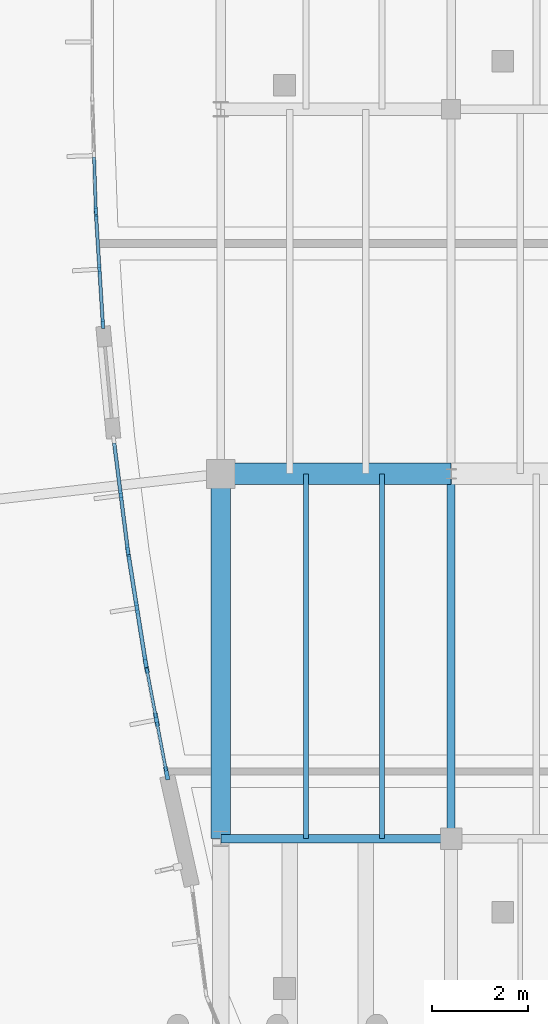
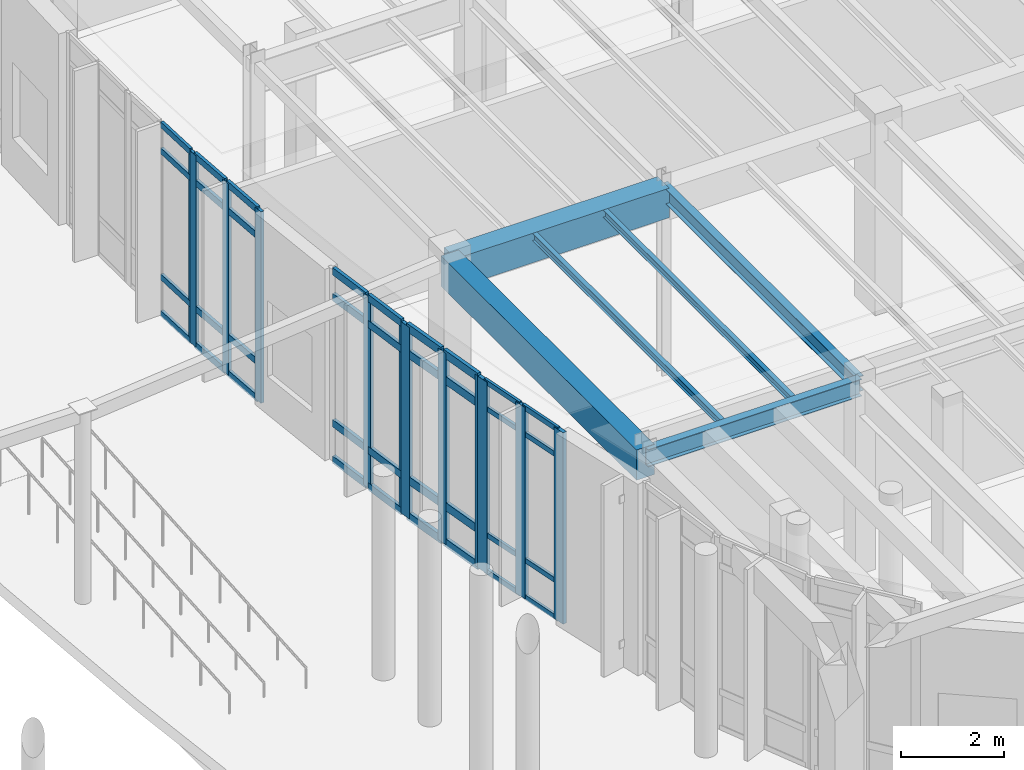
# One storey, part 51 of 120: 48 members, 6 beams, 5 elements without a shape of their own.
"""IFC4 building model written with IfcOpenShell, lengths in metres."""

from ifc_helpers import new_model, si_unit, direction, frame, origin, origin_2d, place, context, subcontext, project, spatial, rectangle, i_section, extrude, material, material_profile, profile_set, type_object, element, aggregate, save


model = new_model("IFC4")

# Units and contexts
model_context = context("Model", 3, precision=1e-05, world=origin(), true_north=direction((0.0, 1.0)))
body_context = subcontext(model_context, "Body", "Model", "MODEL_VIEW")
ifc_project = project(units=[si_unit("LENGTHUNIT", "METRE"), si_unit("AREAUNIT", "SQUARE_METRE"), si_unit("VOLUMEUNIT", "CUBIC_METRE"), si_unit("PLANEANGLEUNIT", "RADIAN"), si_unit("MASSUNIT", "GRAM", prefix="KILO")], contexts=[model_context])

# Site, building, storey
site_placement = place(None, origin())
site = spatial("IfcSite", under=ifc_project, at=site_placement, CompositionType="ELEMENT")
building_placement = place(site_placement, origin())
building = spatial("IfcBuilding", under=site, at=building_placement, Name="Corveleigh Park Community Centre", CompositionType="ELEMENT")
storey_placement = place(building_placement, origin())
storey = spatial("IfcBuildingStorey", under=building, at=storey_placement, Name="L00", CompositionType="ELEMENT", Elevation=0.0)

# Beams
ifc_material_1 = material(Name="Concrete C40/50", Category="concrete")
ifc_material_profile_1 = material_profile(ifc_material_1, rectangle(XDim=0.449951171875, YDim=0.699951171875, at=origin_2d()), Name="RC-450x700", Category="concrete")
ifc_profile_set_1 = profile_set([ifc_material_profile_1], Name="Concrete C40/50")
beam_type_1 = type_object("IfcBeamType", Name="BM-RC-450x700", PredefinedType="BEAM", material=ifc_profile_set_1)
beam_1_placement = place(storey_placement, frame((129.804931640625, 73.800048828125, 4.177001953125), z_axis=(1.0, 0.0, 0.0), x_axis=(0.0, 1.0, 0.0)))
element("IfcBeam", 1, at=beam_1_placement, inside=storey, type_object=beam_type_1, Name="V4 Girder X", PredefinedType="BEAM", context=body_context, shape_type="SweptSolid", body=[
    extrude(rectangle(XDim=0.449951171875, YDim=0.699951171875, at=origin_2d()), origin(), (0.0, 0.0, 1.0), 4.7900390625),
])
ifc_material_2 = material(Name="Steel S355", Category="steel")
ifc_material_profile_2 = material_profile(ifc_material_2, i_section(OverallWidth=0.101318359375, OverallDepth=0.177734375, WebThickness=0.0048828125, FlangeThickness=0.0078125, at=origin_2d()), Name="UKB 178x102x19", Category="steel")
ifc_profile_set_2 = profile_set([ifc_material_profile_2], Name="Steel S355")
beam_type_2 = type_object("IfcBeamType", Name="BM-STL-UKB178x19", PredefinedType="JOIST", material=ifc_profile_set_2)
for number, where, z_axis, x_axis, name in (
    (2, (131.575927734375, 66.205078125, 4.43798828125), (0.0, 1.0, 0.0), (-1.0, 0.0, 0.0), "Secondary floor joist"),
    (3, (133.159912109375, 66.205078125, 4.43798828125), (0.0, 1.0, 0.0), (-1.0, 0.0, 0.0), "Secondary floor joist"),
):
    element("IfcBeam", number, at=place(storey_placement, frame(where, z_axis=z_axis, x_axis=x_axis)), inside=storey, type_object=beam_type_2, Name=name, PredefinedType="JOIST", context=body_context, shape_type="SweptSolid", body=[
        extrude(i_section(OverallWidth=0.101318359375, OverallDepth=0.177734375, WebThickness=0.0048828125, FlangeThickness=0.0078125, at=origin_2d()), origin(), (0.0, 0.0, 1.0), 7.58984375),
    ])
ifc_material_profile_3 = material_profile(ifc_material_2, i_section(OverallWidth=0.172119140625, OverallDepth=0.35791015625, WebThickness=0.008056640625, FlangeThickness=0.012939453125, at=origin_2d()), Name="UKB 356x171x57", Category="steel")
ifc_profile_set_3 = profile_set([ifc_material_profile_3], Name="Steel S355")
beam_type_3 = type_object("IfcBeamType", Name="BM-STL-UKB356x57", PredefinedType="BEAM", material=ifc_profile_set_3)
beam_2_placement = place(storey_placement, frame((134.60009765625, 66.205078125, 4.347900390625), z_axis=(0.0, 1.0, 0.0), x_axis=(-1.0, 0.0, 0.0)))
element("IfcBeam", 4, at=beam_2_placement, inside=storey, type_object=beam_type_3, Name="V4 Girder Y", PredefinedType="BEAM", context=body_context, shape_type="SweptSolid", body=[
    extrude(i_section(OverallWidth=0.172119140625, OverallDepth=0.35791015625, WebThickness=0.008056640625, FlangeThickness=0.012939453125, at=origin_2d()), origin(), (0.0, 0.0, 1.0), 7.58984375),
])
ifc_material_profile_4 = material_profile(ifc_material_2, i_section(OverallWidth=0.177978515625, OverallDepth=0.406494140625, WebThickness=0.0078125, FlangeThickness=0.0126953125, at=origin_2d()), Name="UKB 406x178x60", Category="steel")
ifc_profile_set_4 = profile_set([ifc_material_profile_4], Name="Steel S355")
beam_type_4 = type_object("IfcBeamType", Name="BM-STL-UKB406x60", PredefinedType="BEAM", material=ifc_profile_set_4)
beam_3_placement = place(storey_placement, frame((129.804931640625, 66.199951171875, 4.32373046875), z_axis=(1.0, 0.0, 0.0), x_axis=(0.0, 1.0, 0.0)))
element("IfcBeam", 5, at=beam_3_placement, inside=storey, type_object=beam_type_4, Name="V4 Girder X", PredefinedType="BEAM", context=body_context, shape_type="SweptSolid", body=[
    extrude(i_section(OverallWidth=0.177978515625, OverallDepth=0.406494140625, WebThickness=0.0078125, FlangeThickness=0.0126953125, at=origin_2d()), origin(), (0.0, 0.0, 1.0), 4.7900390625),
])

# Curtain wall, member
ifc_material_3 = material(Name="Anodised aluminium 6063-T6", Category="aluminium")
curtain_wall_type = type_object("IfcCurtainWallType", Name="CW-SYS-V4-L00", PredefinedType="NOTDEFINED", material=ifc_material_3)
curtain_wall_1_placement = place(storey_placement, origin())
curtain_wall_1 = element("IfcCurtainWall", 6, at=curtain_wall_1_placement, inside=storey, type_object=curtain_wall_type, Name="V4 L00 Curtain Wall 152", PredefinedType="NOTDEFINED")
ifc_material_profile_5 = material_profile(ifc_material_3, rectangle(XDim=0.06494140625, YDim=0.179931640625, at=origin_2d()), Name="ALU-M65x180", Category="aluminium")
ifc_profile_set_5 = profile_set([ifc_material_profile_5], Name="Anodised aluminium 6063-T6")
member_type_1 = type_object("IfcMemberType", Name="CWM-65x180", PredefinedType="MULLION", material=ifc_profile_set_5)
member_1_placement = place(storey_placement, frame((127.196044921875, 79.28955078125, 0.0), z_axis=(0.0, 0.0, 1.0), x_axis=(-0.999491108502, -0.031898652394, 0.0)))
member_1 = element("IfcMember", 7, at=member_1_placement, type_object=member_type_1, Name="CW07 mullion 1", PredefinedType="MULLION", context=body_context, shape_type="SweptSolid", body=[
    extrude(rectangle(XDim=0.06494140625, YDim=0.179931640625, at=origin_2d()), origin(), (0.0, 0.0, 1.0), 4.537109375),
])

# Curtain wall, members
curtain_wall_2_placement = place(storey_placement, origin())
curtain_wall_2 = element("IfcCurtainWall", 8, at=curtain_wall_2_placement, inside=storey, type_object=curtain_wall_type, Name="V4 L00 Curtain Wall 153", PredefinedType="NOTDEFINED")
ifc_material_profile_6 = material_profile(ifc_material_3, rectangle(XDim=0.070068359375, YDim=0.199951171875, at=origin_2d()), Name="ALU-M70x200", Category="aluminium")
ifc_profile_set_6 = profile_set([ifc_material_profile_6], Name="Anodised aluminium 6063-T6")
member_type_2 = type_object("IfcMemberType", Name="CWM-70x200", PredefinedType="MULLION", material=ifc_profile_set_6)
member_2_placement = place(storey_placement, frame((127.3427734375, 76.928955078125, 0.0), z_axis=(0.0, 0.0, 1.0), x_axis=(-0.998040968926, -0.062563762233, 0.0)))
member_2 = element("IfcMember", 9, at=member_2_placement, type_object=member_type_2, Name="CW07 mullion 1", PredefinedType="MULLION", context=body_context, shape_type="SweptSolid", body=[
    extrude(rectangle(XDim=0.070068359375, YDim=0.199951171875, at=origin_2d()), origin(), (0.0, 0.0, 1.0), 4.537109375),
])
member_3_placement = place(storey_placement, frame((127.271484375, 78.06640625, 0.0), z_axis=(0.0, 0.0, 1.0), x_axis=(-0.998040968926, -0.062563762233, 0.0)))
member_3 = element("IfcMember", 10, at=member_3_placement, type_object=member_type_2, Name="CW07 mullion 2", PredefinedType="MULLION", context=body_context, shape_type="SweptSolid", body=[
    extrude(rectangle(XDim=0.070068359375, YDim=0.199951171875, at=origin_2d()), origin(), (0.0, 0.0, 1.0), 4.537109375),
])
member_4_placement = place(storey_placement, frame((127.2001953125, 79.2041015625, 0.0), z_axis=(0.0, 0.0, 1.0), x_axis=(-0.998040968926, -0.062563762233, 0.0)))
member_4 = element("IfcMember", 11, at=member_4_placement, type_object=member_type_2, Name="CW07 mullion 3", PredefinedType="MULLION", context=body_context, shape_type="SweptSolid", body=[
    extrude(rectangle(XDim=0.070068359375, YDim=0.199951171875, at=origin_2d()), origin(), (0.0, 0.0, 1.0), 4.537109375),
])

curtain_wall_3_placement = place(storey_placement, origin())
curtain_wall_3 = element("IfcCurtainWall", 12, at=curtain_wall_3_placement, inside=storey, type_object=curtain_wall_type, Name="V4 L00 Curtain Wall 154", PredefinedType="NOTDEFINED")
ifc_material_profile_7 = material_profile(ifc_material_3, rectangle(XDim=0.074951171875, YDim=0.219970703125, at=origin_2d()), Name="ALU-M75x220", Category="aluminium")
ifc_profile_set_7 = profile_set([ifc_material_profile_7], Name="Anodised aluminium 6063-T6")
member_type_3 = type_object("IfcMemberType", Name="CWM-75x220", PredefinedType="MULLION", material=ifc_profile_set_7)
member_5_placement = place(storey_placement, frame((127.861328125, 72.22314453125, 0.0), z_axis=(0.0, 0.0, 1.0), x_axis=(-0.992040478554, -0.125919374639, 0.0)))
member_5 = element("IfcMember", 13, at=member_5_placement, type_object=member_type_3, Name="CW07 mullion 1", PredefinedType="MULLION", context=body_context, shape_type="SweptSolid", body=[
    extrude(rectangle(XDim=0.074951171875, YDim=0.219970703125, at=origin_2d()), origin(), (0.0, 0.0, 1.0), 4.537109375),
])
member_6_placement = place(storey_placement, frame((127.718017578125, 73.35205078125, 0.0), z_axis=(0.0, 0.0, 1.0), x_axis=(-0.992040478554, -0.125919374639, 0.0)))
member_6 = element("IfcMember", 14, at=member_6_placement, type_object=member_type_3, Name="CW07 mullion 2", PredefinedType="MULLION", context=body_context, shape_type="SweptSolid", body=[
    extrude(rectangle(XDim=0.074951171875, YDim=0.219970703125, at=origin_2d()), origin(), (0.0, 0.0, 1.0), 4.537109375),
])

curtain_wall_4_placement = place(storey_placement, origin())
curtain_wall_4 = element("IfcCurtainWall", 15, at=curtain_wall_4_placement, inside=storey, type_object=curtain_wall_type, Name="V4 L00 Curtain Wall 155", PredefinedType="NOTDEFINED")
ifc_material_profile_8 = material_profile(ifc_material_3, rectangle(XDim=0.080078125, YDim=0.25, at=origin_2d()), Name="ALU-M80x250", Category="aluminium")
ifc_profile_set_8 = profile_set([ifc_material_profile_8], Name="Anodised aluminium 6063-T6")
member_type_4 = type_object("IfcMemberType", Name="CWM-80x250", PredefinedType="MULLION", material=ifc_profile_set_8)
member_7_placement = place(storey_placement, frame((128.230712890625, 69.886474609375, 0.0), z_axis=(0.0, 0.0, 1.0), x_axis=(-0.987596806616, -0.157011297563, 0.0)))
member_7 = element("IfcMember", 16, at=member_7_placement, type_object=member_type_4, Name="CW07 mullion 1", PredefinedType="MULLION", context=body_context, shape_type="SweptSolid", body=[
    extrude(rectangle(XDim=0.080078125, YDim=0.25, at=origin_2d()), origin(), (0.0, 0.0, 1.0), 4.537109375),
])
member_8_placement = place(storey_placement, frame((128.052490234375, 71.007568359375, 0.0), z_axis=(0.0, 0.0, 1.0), x_axis=(-0.987596806616, -0.157011297563, 0.0)))
member_8 = element("IfcMember", 17, at=member_8_placement, type_object=member_type_4, Name="CW07 mullion 2", PredefinedType="MULLION", context=body_context, shape_type="SweptSolid", body=[
    extrude(rectangle(XDim=0.080078125, YDim=0.25, at=origin_2d()), origin(), (0.0, 0.0, 1.0), 4.537109375),
])
member_9_placement = place(storey_placement, frame((127.874267578125, 72.12841796875, 0.0), z_axis=(0.0, 0.0, 1.0), x_axis=(-0.987596806616, -0.157011297563, 0.0)))
member_9 = element("IfcMember", 18, at=member_9_placement, type_object=member_type_4, Name="CW07 mullion 3", PredefinedType="MULLION", context=body_context, shape_type="SweptSolid", body=[
    extrude(rectangle(XDim=0.080078125, YDim=0.25, at=origin_2d()), origin(), (0.0, 0.0, 1.0), 4.537109375),
])

curtain_wall_5_placement = place(storey_placement, origin())
curtain_wall_5 = element("IfcCurtainWall", 19, at=curtain_wall_5_placement, inside=storey, type_object=curtain_wall_type, Name="V4 L00 Curtain Wall 156", PredefinedType="NOTDEFINED")
ifc_material_profile_9 = material_profile(ifc_material_3, rectangle(XDim=0.0849609375, YDim=0.27490234375, at=origin_2d()), Name="ALU-M85x275", Category="aluminium")
ifc_profile_set_9 = profile_set([ifc_material_profile_9], Name="Anodised aluminium 6063-T6")
member_type_5 = type_object("IfcMemberType", Name="CWM-85x275", PredefinedType="MULLION", material=ifc_profile_set_9)
member_10_placement = place(storey_placement, frame((128.672119140625, 67.561767578125, 0.0), z_axis=(0.0, 0.0, 1.0), x_axis=(-0.982323668519, -0.187190304951, 0.0)))
member_10 = element("IfcMember", 20, at=member_10_placement, type_object=member_type_5, Name="CW07 mullion 1", PredefinedType="MULLION", context=body_context, shape_type="SweptSolid", body=[
    extrude(rectangle(XDim=0.0849609375, YDim=0.27490234375, at=origin_2d()), origin(), (0.0, 0.0, 1.0), 4.537109375),
])
member_11_placement = place(storey_placement, frame((128.4599609375, 68.674560546875, 0.0), z_axis=(0.0, 0.0, 1.0), x_axis=(-0.982323668519, -0.187190304951, 0.0)))
member_11 = element("IfcMember", 21, at=member_11_placement, type_object=member_type_5, Name="CW07 mullion 2", PredefinedType="MULLION", context=body_context, shape_type="SweptSolid", body=[
    extrude(rectangle(XDim=0.0849609375, YDim=0.27490234375, at=origin_2d()), origin(), (0.0, 0.0, 1.0), 4.537109375),
])
member_12_placement = place(storey_placement, frame((128.248046875, 69.787353515625, 0.0), z_axis=(0.0, 0.0, 1.0), x_axis=(-0.982323668519, -0.187190304951, 0.0)))
member_12 = element("IfcMember", 22, at=member_12_placement, type_object=member_type_5, Name="CW07 mullion 3", PredefinedType="MULLION", context=body_context, shape_type="SweptSolid", body=[
    extrude(rectangle(XDim=0.0849609375, YDim=0.27490234375, at=origin_2d()), origin(), (0.0, 0.0, 1.0), 4.537109375),
])
ifc_material_profile_10 = material_profile(ifc_material_3, rectangle(XDim=0.06005859375, YDim=0.1201171875, at=origin_2d()), Name="ALU-T60x120", Category="aluminium")
ifc_profile_set_10 = profile_set([ifc_material_profile_10], Name="Anodised aluminium 6063-T6")
member_type_6 = type_object("IfcMemberType", Name="CWT-60x120", PredefinedType="USERDEFINED", material=ifc_profile_set_10)
member_13_placement = place(storey_placement, frame((128.6640625, 67.603515625, 0.030029296875), z_axis=(-0.187101400958, 0.982340605778, 0.0), x_axis=(-0.982340605778, -0.187101400958, 0.0)))
member_13 = element("IfcMember", 23, at=member_13_placement, type_object=member_type_6, Name="CW07 transom 1.1", ObjectType="TRANSOM", PredefinedType="USERDEFINED", context=body_context, shape_type="SweptSolid", body=[
    extrude(rectangle(XDim=0.06005859375, YDim=0.1201171875, at=origin_2d()), origin(), (0.0, 0.0, 1.0), 1.0478515625),
])
member_14_placement = place(storey_placement, frame((128.6640625, 67.603515625, 0.89990234375), z_axis=(-0.187101400958, 0.982340605778, 0.0), x_axis=(-0.982340605778, -0.187101400958, 0.0)))
member_14 = element("IfcMember", 24, at=member_14_placement, type_object=member_type_6, Name="CW07 transom 1.2", ObjectType="TRANSOM", PredefinedType="USERDEFINED", context=body_context, shape_type="SweptSolid", body=[
    extrude(rectangle(XDim=0.06005859375, YDim=0.1201171875, at=origin_2d()), origin(), (0.0, 0.0, 1.0), 1.0478515625),
])
member_15_placement = place(storey_placement, frame((128.6640625, 67.603515625, 3.886962890625), z_axis=(-0.187101400958, 0.982340605778, 0.0), x_axis=(-0.982340605778, -0.187101400958, 0.0)))
member_15 = element("IfcMember", 25, at=member_15_placement, type_object=member_type_6, Name="CW07 transom 1.3", ObjectType="TRANSOM", PredefinedType="USERDEFINED", context=body_context, shape_type="SweptSolid", body=[
    extrude(rectangle(XDim=0.06005859375, YDim=0.1201171875, at=origin_2d()), origin(), (0.0, 0.0, 1.0), 1.0478515625),
])
member_16_placement = place(storey_placement, frame((128.6640625, 67.603515625, 4.507080078125), z_axis=(-0.187101400958, 0.982340605778, 0.0), x_axis=(-0.982340605778, -0.187101400958, 0.0)))
member_16 = element("IfcMember", 26, at=member_16_placement, type_object=member_type_6, Name="CW07 transom 1.4", ObjectType="TRANSOM", PredefinedType="USERDEFINED", context=body_context, shape_type="SweptSolid", body=[
    extrude(rectangle(XDim=0.06005859375, YDim=0.1201171875, at=origin_2d()), origin(), (0.0, 0.0, 1.0), 1.0478515625),
])
member_17_placement = place(storey_placement, frame((128.4521484375, 68.71630859375, 0.030029296875), z_axis=(-0.187326232519, 0.982297756594, 0.0), x_axis=(-0.982297756594, -0.187326232519, 0.0)))
member_17 = element("IfcMember", 27, at=member_17_placement, type_object=member_type_6, Name="CW07 transom 2.1", ObjectType="TRANSOM", PredefinedType="USERDEFINED", context=body_context, shape_type="SweptSolid", body=[
    extrude(rectangle(XDim=0.06005859375, YDim=0.1201171875, at=origin_2d()), origin(), (0.0, 0.0, 1.0), 1.0478515625),
])
member_18_placement = place(storey_placement, frame((128.4521484375, 68.71630859375, 0.89990234375), z_axis=(-0.187326232519, 0.982297756594, 0.0), x_axis=(-0.982297756594, -0.187326232519, 0.0)))
member_18 = element("IfcMember", 28, at=member_18_placement, type_object=member_type_6, Name="CW07 transom 2.2", ObjectType="TRANSOM", PredefinedType="USERDEFINED", context=body_context, shape_type="SweptSolid", body=[
    extrude(rectangle(XDim=0.06005859375, YDim=0.1201171875, at=origin_2d()), origin(), (0.0, 0.0, 1.0), 1.0478515625),
])
member_19_placement = place(storey_placement, frame((128.4521484375, 68.71630859375, 3.886962890625), z_axis=(-0.187326232519, 0.982297756594, 0.0), x_axis=(-0.982297756594, -0.187326232519, 0.0)))
member_19 = element("IfcMember", 29, at=member_19_placement, type_object=member_type_6, Name="CW07 transom 2.3", ObjectType="TRANSOM", PredefinedType="USERDEFINED", context=body_context, shape_type="SweptSolid", body=[
    extrude(rectangle(XDim=0.06005859375, YDim=0.1201171875, at=origin_2d()), origin(), (0.0, 0.0, 1.0), 1.0478515625),
])
member_20_placement = place(storey_placement, frame((128.4521484375, 68.71630859375, 4.507080078125), z_axis=(-0.187326232519, 0.982297756594, 0.0), x_axis=(-0.982297756594, -0.187326232519, 0.0)))
member_20 = element("IfcMember", 30, at=member_20_placement, type_object=member_type_6, Name="CW07 transom 2.4", ObjectType="TRANSOM", PredefinedType="USERDEFINED", context=body_context, shape_type="SweptSolid", body=[
    extrude(rectangle(XDim=0.06005859375, YDim=0.1201171875, at=origin_2d()), origin(), (0.0, 0.0, 1.0), 1.0478515625),
])
aggregate(curtain_wall_5, [member_10, member_11, member_12, member_13, member_14, member_15, member_16, member_17, member_18, member_19, member_20])

# Member
ifc_material_profile_11 = material_profile(ifc_material_3, rectangle(XDim=0.06494140625, YDim=0.139892578125, at=origin_2d()), Name="ALU-T65x140", Category="aluminium")
ifc_profile_set_11 = profile_set([ifc_material_profile_11], Name="Anodised aluminium 6063-T6")
member_type_7 = type_object("IfcMemberType", Name="CWT-65x140", PredefinedType="USERDEFINED", material=ifc_profile_set_11)
member_21_placement = place(storey_placement, frame((127.19482421875, 79.322021484375, 0.032470703125), z_axis=(-0.031708498137, 0.999497159148, 0.0), x_axis=(-0.999497159148, -0.031708498137, 0.0)))
member_21 = element("IfcMember", 31, at=member_21_placement, type_object=member_type_7, Name="CW07 transom 1.1", ObjectType="TRANSOM", PredefinedType="USERDEFINED", context=body_context, shape_type="SweptSolid", body=[
    extrude(rectangle(XDim=0.06494140625, YDim=0.139892578125, at=origin_2d()), origin(), (0.0, 0.0, 1.0), 1.077880859375),
])

member_22_placement = place(storey_placement, frame((127.19482421875, 79.322021484375, 0.89990234375), z_axis=(-0.031708498137, 0.999497159148, 0.0), x_axis=(-0.999497159148, -0.031708498137, 0.0)))
member_22 = element("IfcMember", 32, at=member_22_placement, type_object=member_type_7, Name="CW07 transom 1.2", ObjectType="TRANSOM", PredefinedType="USERDEFINED", context=body_context, shape_type="SweptSolid", body=[
    extrude(rectangle(XDim=0.06494140625, YDim=0.139892578125, at=origin_2d()), origin(), (0.0, 0.0, 1.0), 1.077880859375),
])

member_23_placement = place(storey_placement, frame((127.19482421875, 79.322021484375, 3.886962890625), z_axis=(-0.031708498137, 0.999497159148, 0.0), x_axis=(-0.999497159148, -0.031708498137, 0.0)))
member_23 = element("IfcMember", 33, at=member_23_placement, type_object=member_type_7, Name="CW07 transom 1.3", ObjectType="TRANSOM", PredefinedType="USERDEFINED", context=body_context, shape_type="SweptSolid", body=[
    extrude(rectangle(XDim=0.06494140625, YDim=0.139892578125, at=origin_2d()), origin(), (0.0, 0.0, 1.0), 1.077880859375),
])

member_24_placement = place(storey_placement, frame((127.19482421875, 79.322021484375, 4.50439453125), z_axis=(-0.031708498137, 0.999497159148, 0.0), x_axis=(-0.999497159148, -0.031708498137, 0.0)))
member_24 = element("IfcMember", 34, at=member_24_placement, type_object=member_type_7, Name="CW07 transom 1.4", ObjectType="TRANSOM", PredefinedType="USERDEFINED", context=body_context, shape_type="SweptSolid", body=[
    extrude(rectangle(XDim=0.06494140625, YDim=0.139892578125, at=origin_2d()), origin(), (0.0, 0.0, 1.0), 1.077880859375),
])

aggregate(curtain_wall_1, [member_1, member_21, member_22, member_23, member_24])

ifc_material_profile_12 = material_profile(ifc_material_3, rectangle(XDim=0.070068359375, YDim=0.155029296875, at=origin_2d()), Name="ALU-T70x155", Category="aluminium")
ifc_profile_set_12 = profile_set([ifc_material_profile_12], Name="Anodised aluminium 6063-T6")
member_type_8 = type_object("IfcMemberType", Name="CWT-70x155", PredefinedType="USERDEFINED", material=ifc_profile_set_12)
member_25_placement = place(storey_placement, frame((127.340576171875, 76.9638671875, 0.034912109375), z_axis=(-0.062534581883, 0.998042797714, 0.0), x_axis=(-0.998042797714, -0.062534581883, 0.0)))
member_25 = element("IfcMember", 35, at=member_25_placement, type_object=member_type_8, Name="CW07 transom 1.1", ObjectType="TRANSOM", PredefinedType="USERDEFINED", context=body_context, shape_type="SweptSolid", body=[
    extrude(rectangle(XDim=0.070068359375, YDim=0.155029296875, at=origin_2d()), origin(), (0.0, 0.0, 1.0), 1.06982421875),
])

member_26_placement = place(storey_placement, frame((127.340576171875, 76.9638671875, 0.89990234375), z_axis=(-0.062534581883, 0.998042797714, 0.0), x_axis=(-0.998042797714, -0.062534581883, 0.0)))
member_26 = element("IfcMember", 36, at=member_26_placement, type_object=member_type_8, Name="CW07 transom 1.2", ObjectType="TRANSOM", PredefinedType="USERDEFINED", context=body_context, shape_type="SweptSolid", body=[
    extrude(rectangle(XDim=0.070068359375, YDim=0.155029296875, at=origin_2d()), origin(), (0.0, 0.0, 1.0), 1.06982421875),
])

member_27_placement = place(storey_placement, frame((127.340576171875, 76.9638671875, 3.886962890625), z_axis=(-0.062534581883, 0.998042797714, 0.0), x_axis=(-0.998042797714, -0.062534581883, 0.0)))
member_27 = element("IfcMember", 37, at=member_27_placement, type_object=member_type_8, Name="CW07 transom 1.3", ObjectType="TRANSOM", PredefinedType="USERDEFINED", context=body_context, shape_type="SweptSolid", body=[
    extrude(rectangle(XDim=0.070068359375, YDim=0.155029296875, at=origin_2d()), origin(), (0.0, 0.0, 1.0), 1.06982421875),
])

member_28_placement = place(storey_placement, frame((127.340576171875, 76.9638671875, 4.501953125), z_axis=(-0.062534581883, 0.998042797714, 0.0), x_axis=(-0.998042797714, -0.062534581883, 0.0)))
member_28 = element("IfcMember", 38, at=member_28_placement, type_object=member_type_8, Name="CW07 transom 1.4", ObjectType="TRANSOM", PredefinedType="USERDEFINED", context=body_context, shape_type="SweptSolid", body=[
    extrude(rectangle(XDim=0.070068359375, YDim=0.155029296875, at=origin_2d()), origin(), (0.0, 0.0, 1.0), 1.06982421875),
])

member_29_placement = place(storey_placement, frame((127.269287109375, 78.101318359375, 0.034912109375), z_axis=(-0.062520340886, 0.998043689913, 0.0), x_axis=(-0.998043689913, -0.062520340886, 0.0)))
member_29 = element("IfcMember", 39, at=member_29_placement, type_object=member_type_8, Name="CW07 transom 2.1", ObjectType="TRANSOM", PredefinedType="USERDEFINED", context=body_context, shape_type="SweptSolid", body=[
    extrude(rectangle(XDim=0.070068359375, YDim=0.155029296875, at=origin_2d()), origin(), (0.0, 0.0, 1.0), 1.070068359375),
])

member_30_placement = place(storey_placement, frame((127.269287109375, 78.101318359375, 0.89990234375), z_axis=(-0.062520340886, 0.998043689913, 0.0), x_axis=(-0.998043689913, -0.062520340886, 0.0)))
member_30 = element("IfcMember", 40, at=member_30_placement, type_object=member_type_8, Name="CW07 transom 2.2", ObjectType="TRANSOM", PredefinedType="USERDEFINED", context=body_context, shape_type="SweptSolid", body=[
    extrude(rectangle(XDim=0.070068359375, YDim=0.155029296875, at=origin_2d()), origin(), (0.0, 0.0, 1.0), 1.070068359375),
])

member_31_placement = place(storey_placement, frame((127.269287109375, 78.101318359375, 3.886962890625), z_axis=(-0.062520340886, 0.998043689913, 0.0), x_axis=(-0.998043689913, -0.062520340886, 0.0)))
member_31 = element("IfcMember", 41, at=member_31_placement, type_object=member_type_8, Name="CW07 transom 2.3", ObjectType="TRANSOM", PredefinedType="USERDEFINED", context=body_context, shape_type="SweptSolid", body=[
    extrude(rectangle(XDim=0.070068359375, YDim=0.155029296875, at=origin_2d()), origin(), (0.0, 0.0, 1.0), 1.070068359375),
])

member_32_placement = place(storey_placement, frame((127.269287109375, 78.101318359375, 4.501953125), z_axis=(-0.062520340886, 0.998043689913, 0.0), x_axis=(-0.998043689913, -0.062520340886, 0.0)))
member_32 = element("IfcMember", 42, at=member_32_placement, type_object=member_type_8, Name="CW07 transom 2.4", ObjectType="TRANSOM", PredefinedType="USERDEFINED", context=body_context, shape_type="SweptSolid", body=[
    extrude(rectangle(XDim=0.070068359375, YDim=0.155029296875, at=origin_2d()), origin(), (0.0, 0.0, 1.0), 1.070068359375),
])

aggregate(curtain_wall_2, [member_2, member_3, member_4, member_25, member_26, member_27, member_28, member_29, member_30, member_31, member_32])

ifc_material_profile_13 = material_profile(ifc_material_3, rectangle(XDim=0.074951171875, YDim=0.175048828125, at=origin_2d()), Name="ALU-T75x175", Category="aluminium")
ifc_profile_set_13 = profile_set([ifc_material_profile_13], Name="Anodised aluminium 6063-T6")
member_type_9 = type_object("IfcMemberType", Name="CWT-75x175", PredefinedType="USERDEFINED", material=ifc_profile_set_13)
member_33_placement = place(storey_placement, frame((127.8564453125, 72.260498046875, 0.03759765625), z_axis=(-0.125900758919, 0.992042841264, 0.0), x_axis=(-0.992042841264, -0.125900758919, 0.0)))
member_33 = element("IfcMember", 43, at=member_33_placement, type_object=member_type_9, Name="CW07 transom 1.1", ObjectType="TRANSOM", PredefinedType="USERDEFINED", context=body_context, shape_type="SweptSolid", body=[
    extrude(rectangle(XDim=0.074951171875, YDim=0.175048828125, at=origin_2d()), origin(), (0.0, 0.0, 1.0), 1.062744140625),
])

member_34_placement = place(storey_placement, frame((127.8564453125, 72.260498046875, 0.89990234375), z_axis=(-0.125900758919, 0.992042841264, 0.0), x_axis=(-0.992042841264, -0.125900758919, 0.0)))
member_34 = element("IfcMember", 44, at=member_34_placement, type_object=member_type_9, Name="CW07 transom 1.2", ObjectType="TRANSOM", PredefinedType="USERDEFINED", context=body_context, shape_type="SweptSolid", body=[
    extrude(rectangle(XDim=0.074951171875, YDim=0.175048828125, at=origin_2d()), origin(), (0.0, 0.0, 1.0), 1.062744140625),
])

member_35_placement = place(storey_placement, frame((127.8564453125, 72.260498046875, 3.886962890625), z_axis=(-0.125900758919, 0.992042841264, 0.0), x_axis=(-0.992042841264, -0.125900758919, 0.0)))
member_35 = element("IfcMember", 45, at=member_35_placement, type_object=member_type_9, Name="CW07 transom 1.3", ObjectType="TRANSOM", PredefinedType="USERDEFINED", context=body_context, shape_type="SweptSolid", body=[
    extrude(rectangle(XDim=0.074951171875, YDim=0.175048828125, at=origin_2d()), origin(), (0.0, 0.0, 1.0), 1.062744140625),
])

member_36_placement = place(storey_placement, frame((127.8564453125, 72.260498046875, 4.49951171875), z_axis=(-0.125900758919, 0.992042841264, 0.0), x_axis=(-0.992042841264, -0.125900758919, 0.0)))
member_36 = element("IfcMember", 46, at=member_36_placement, type_object=member_type_9, Name="CW07 transom 1.4", ObjectType="TRANSOM", PredefinedType="USERDEFINED", context=body_context, shape_type="SweptSolid", body=[
    extrude(rectangle(XDim=0.074951171875, YDim=0.175048828125, at=origin_2d()), origin(), (0.0, 0.0, 1.0), 1.062744140625),
])

member_37_placement = place(storey_placement, frame((127.71337890625, 73.38916015625, 0.03759765625), z_axis=(-0.126098114919, 0.992017774747, 0.0), x_axis=(-0.992017774747, -0.126098114919, 0.0)))
member_37 = element("IfcMember", 47, at=member_37_placement, type_object=member_type_9, Name="CW07 transom 2.1", ObjectType="TRANSOM", PredefinedType="USERDEFINED", context=body_context, shape_type="SweptSolid", body=[
    extrude(rectangle(XDim=0.074951171875, YDim=0.175048828125, at=origin_2d()), origin(), (0.0, 0.0, 1.0), 1.06298828125),
])

member_38_placement = place(storey_placement, frame((127.71337890625, 73.38916015625, 0.89990234375), z_axis=(-0.126098114919, 0.992017774747, 0.0), x_axis=(-0.992017774747, -0.126098114919, 0.0)))
member_38 = element("IfcMember", 48, at=member_38_placement, type_object=member_type_9, Name="CW07 transom 2.2", ObjectType="TRANSOM", PredefinedType="USERDEFINED", context=body_context, shape_type="SweptSolid", body=[
    extrude(rectangle(XDim=0.074951171875, YDim=0.175048828125, at=origin_2d()), origin(), (0.0, 0.0, 1.0), 1.06298828125),
])

member_39_placement = place(storey_placement, frame((127.71337890625, 73.38916015625, 3.886962890625), z_axis=(-0.126098114919, 0.992017774747, 0.0), x_axis=(-0.992017774747, -0.126098114919, 0.0)))
member_39 = element("IfcMember", 49, at=member_39_placement, type_object=member_type_9, Name="CW07 transom 2.3", ObjectType="TRANSOM", PredefinedType="USERDEFINED", context=body_context, shape_type="SweptSolid", body=[
    extrude(rectangle(XDim=0.074951171875, YDim=0.175048828125, at=origin_2d()), origin(), (0.0, 0.0, 1.0), 1.06298828125),
])

member_40_placement = place(storey_placement, frame((127.71337890625, 73.38916015625, 4.49951171875), z_axis=(-0.126098114919, 0.992017774747, 0.0), x_axis=(-0.992017774747, -0.126098114919, 0.0)))
member_40 = element("IfcMember", 50, at=member_40_placement, type_object=member_type_9, Name="CW07 transom 2.4", ObjectType="TRANSOM", PredefinedType="USERDEFINED", context=body_context, shape_type="SweptSolid", body=[
    extrude(rectangle(XDim=0.074951171875, YDim=0.175048828125, at=origin_2d()), origin(), (0.0, 0.0, 1.0), 1.06298828125),
])

aggregate(curtain_wall_3, [member_5, member_6, member_33, member_34, member_35, member_36, member_37, member_38, member_39, member_40])

ifc_material_profile_14 = material_profile(ifc_material_3, rectangle(XDim=0.080078125, YDim=0.195068359375, at=origin_2d()), Name="ALU-T80x195", Category="aluminium")
ifc_profile_set_14 = profile_set([ifc_material_profile_14], Name="Anodised aluminium 6063-T6")
member_type_10 = type_object("IfcMemberType", Name="CWT-80x195", PredefinedType="USERDEFINED", material=ifc_profile_set_14)
member_41_placement = place(storey_placement, frame((128.224365234375, 69.926025390625, 0.0400390625), z_axis=(-0.156889356548, 0.98761618547, 0.0), x_axis=(-0.98761618547, -0.156889356548, 0.0)))
member_41 = element("IfcMember", 51, at=member_41_placement, type_object=member_type_10, Name="CW07 transom 1.1", ObjectType="TRANSOM", PredefinedType="USERDEFINED", context=body_context, shape_type="SweptSolid", body=[
    extrude(rectangle(XDim=0.080078125, YDim=0.195068359375, at=origin_2d()), origin(), (0.0, 0.0, 1.0), 1.05517578125),
])

member_42_placement = place(storey_placement, frame((128.224365234375, 69.926025390625, 0.89990234375), z_axis=(-0.156889356548, 0.98761618547, 0.0), x_axis=(-0.98761618547, -0.156889356548, 0.0)))
member_42 = element("IfcMember", 52, at=member_42_placement, type_object=member_type_10, Name="CW07 transom 1.2", ObjectType="TRANSOM", PredefinedType="USERDEFINED", context=body_context, shape_type="SweptSolid", body=[
    extrude(rectangle(XDim=0.080078125, YDim=0.195068359375, at=origin_2d()), origin(), (0.0, 0.0, 1.0), 1.05517578125),
])

member_43_placement = place(storey_placement, frame((128.224365234375, 69.926025390625, 3.886962890625), z_axis=(-0.156889356548, 0.98761618547, 0.0), x_axis=(-0.98761618547, -0.156889356548, 0.0)))
member_43 = element("IfcMember", 53, at=member_43_placement, type_object=member_type_10, Name="CW07 transom 1.3", ObjectType="TRANSOM", PredefinedType="USERDEFINED", context=body_context, shape_type="SweptSolid", body=[
    extrude(rectangle(XDim=0.080078125, YDim=0.195068359375, at=origin_2d()), origin(), (0.0, 0.0, 1.0), 1.05517578125),
])

member_44_placement = place(storey_placement, frame((128.224365234375, 69.926025390625, 4.4970703125), z_axis=(-0.156889356548, 0.98761618547, 0.0), x_axis=(-0.98761618547, -0.156889356548, 0.0)))
member_44 = element("IfcMember", 54, at=member_44_placement, type_object=member_type_10, Name="CW07 transom 1.4", ObjectType="TRANSOM", PredefinedType="USERDEFINED", context=body_context, shape_type="SweptSolid", body=[
    extrude(rectangle(XDim=0.080078125, YDim=0.195068359375, at=origin_2d()), origin(), (0.0, 0.0, 1.0), 1.05517578125),
])

member_45_placement = place(storey_placement, frame((128.046142578125, 71.047119140625, 0.0400390625), z_axis=(-0.156889356548, 0.98761618547, 0.0), x_axis=(-0.98761618547, -0.156889356548, 0.0)))
member_45 = element("IfcMember", 55, at=member_45_placement, type_object=member_type_10, Name="CW07 transom 2.1", ObjectType="TRANSOM", PredefinedType="USERDEFINED", context=body_context, shape_type="SweptSolid", body=[
    extrude(rectangle(XDim=0.080078125, YDim=0.195068359375, at=origin_2d()), origin(), (0.0, 0.0, 1.0), 1.05517578125),
])

member_46_placement = place(storey_placement, frame((128.046142578125, 71.047119140625, 0.89990234375), z_axis=(-0.156889356548, 0.98761618547, 0.0), x_axis=(-0.98761618547, -0.156889356548, 0.0)))
member_46 = element("IfcMember", 56, at=member_46_placement, type_object=member_type_10, Name="CW07 transom 2.2", ObjectType="TRANSOM", PredefinedType="USERDEFINED", context=body_context, shape_type="SweptSolid", body=[
    extrude(rectangle(XDim=0.080078125, YDim=0.195068359375, at=origin_2d()), origin(), (0.0, 0.0, 1.0), 1.05517578125),
])

member_47_placement = place(storey_placement, frame((128.046142578125, 71.047119140625, 3.886962890625), z_axis=(-0.156889356548, 0.98761618547, 0.0), x_axis=(-0.98761618547, -0.156889356548, 0.0)))
member_47 = element("IfcMember", 57, at=member_47_placement, type_object=member_type_10, Name="CW07 transom 2.3", ObjectType="TRANSOM", PredefinedType="USERDEFINED", context=body_context, shape_type="SweptSolid", body=[
    extrude(rectangle(XDim=0.080078125, YDim=0.195068359375, at=origin_2d()), origin(), (0.0, 0.0, 1.0), 1.05517578125),
])

member_48_placement = place(storey_placement, frame((128.046142578125, 71.047119140625, 4.4970703125), z_axis=(-0.156889356548, 0.98761618547, 0.0), x_axis=(-0.98761618547, -0.156889356548, 0.0)))
member_48 = element("IfcMember", 58, at=member_48_placement, type_object=member_type_10, Name="CW07 transom 2.4", ObjectType="TRANSOM", PredefinedType="USERDEFINED", context=body_context, shape_type="SweptSolid", body=[
    extrude(rectangle(XDim=0.080078125, YDim=0.195068359375, at=origin_2d()), origin(), (0.0, 0.0, 1.0), 1.05517578125),
])

aggregate(curtain_wall_4, [member_7, member_8, member_9, member_41, member_42, member_43, member_44, member_45, member_46, member_47, member_48])

# Beam
ifc_material_profile_15 = material_profile(ifc_material_1, rectangle(XDim=0.39990234375, YDim=0.719970703125, at=origin_2d()), Name="RC-400x720", Category="concrete")
ifc_profile_set_15 = profile_set([ifc_material_profile_15], Name="Concrete C40/50")
beam_type_5 = type_object("IfcBeamType", Name="SP-RC-400x720", PredefinedType="SPANDREL", material=ifc_profile_set_15)
beam_4_placement = place(storey_placement, frame((129.800048828125, 66.205078125, 4.177001953125), z_axis=(0.0, 1.0, 0.0), x_axis=(-1.0, 0.0, 0.0)))
element("IfcBeam", 59, at=beam_4_placement, inside=storey, type_object=beam_type_5, Name="V4 Girder Y", PredefinedType="SPANDREL", context=body_context, shape_type="SweptSolid", body=[
    extrude(rectangle(XDim=0.39990234375, YDim=0.719970703125, at=origin_2d()), origin(), (0.0, 0.0, 1.0), 7.58984375),
])

save(model, "model.ifc")
